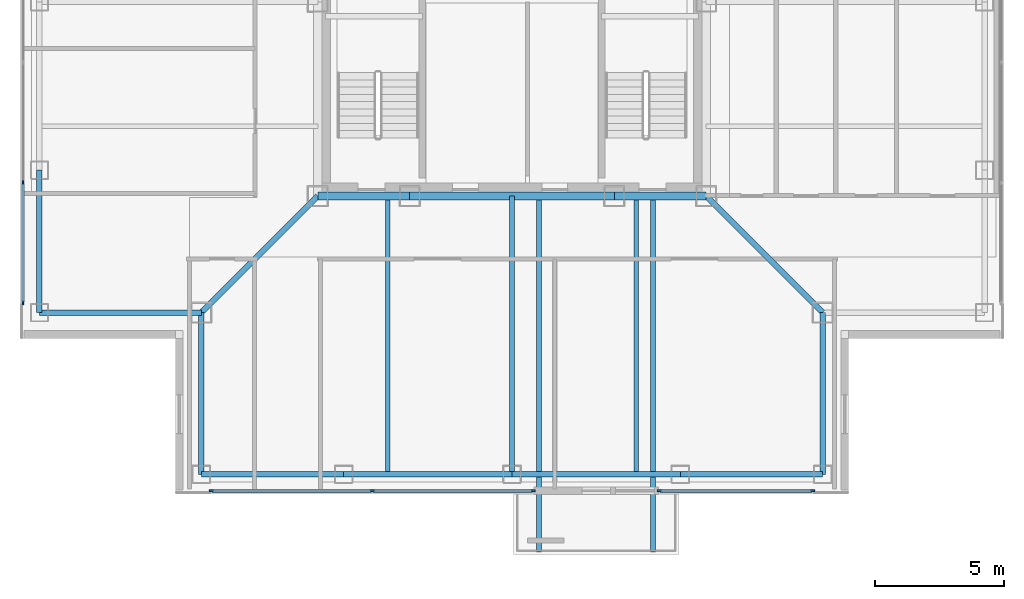
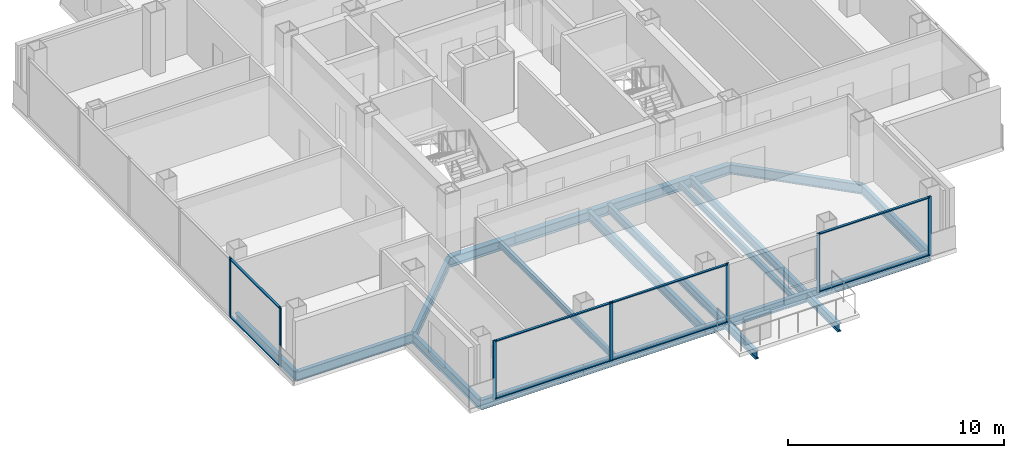
# One storey, part 2 of 15: 18 beams, 15 members, 3 elements without a shape of their own.
"""IFC4 building model written with IfcOpenShell, lengths in metres."""

from ifc_helpers import new_model, si_unit, direction, frame, origin, origin_2d, place, context, subcontext, project, spatial, rectangle, i_section, extrude, material, layer, layer_set, material_profile, profile_set, type_object, element, aggregate, save


model = new_model("IFC4")

# Units and contexts
model_context = context("Model", 3, precision=1e-05, world=origin(), true_north=direction((0.0, 1.0)))
body_context = subcontext(model_context, "Body", "Model", "MODEL_VIEW")
ifc_project = project(units=[si_unit("LENGTHUNIT", "METRE"), si_unit("AREAUNIT", "SQUARE_METRE"), si_unit("VOLUMEUNIT", "CUBIC_METRE"), si_unit("PLANEANGLEUNIT", "RADIAN"), si_unit("MASSUNIT", "GRAM", prefix="KILO")], contexts=[model_context])

# Site, building, storey
site_placement = place(None, origin())
site = spatial("IfcSite", under=ifc_project, at=site_placement, CompositionType="ELEMENT")
building_placement = place(site_placement, origin())
building = spatial("IfcBuilding", under=site, at=building_placement, Name="Trevonay Congress Spire", CompositionType="ELEMENT")
storey_placement = place(building_placement, frame((0.0, 0.0, 275.60009765625)))
storey = spatial("IfcBuildingStorey", under=building, at=storey_placement, Name="L72", CompositionType="ELEMENT", Elevation=275.60009765625)

# Beams
ifc_material_1 = material(Name="Steel ASTM A572 Grade 50", Category="steel")
ifc_material_profile_1 = material_profile(ifc_material_1, i_section(OverallWidth=0.194091796875, OverallDepth=0.468994140625, WebThickness=0.011474609375, FlangeThickness=0.01953125, FilletRadius=0.013916015625, at=origin_2d()), Name="W460x106")
ifc_profile_set_1 = profile_set([ifc_material_profile_1], Name="Steel ASTM A572 Grade 50")
beam_type_1 = type_object("IfcBeamType", Name="BM-BAL-LOOKOUT", PredefinedType="BEAM", material=ifc_profile_set_1)
for number, where, z_axis, x_axis, name in (
    (1, (1.050048828125, -7.5, -0.474609375), (0.0, -1.0, 0.0), (1.0, 0.0, 0.0), "L72 structural beam LKT-L72-S1"),
    (2, (5.449951171875, -7.5, -0.474609375), (0.0, -1.0, 0.0), (1.0, 0.0, 0.0), "L72 structural beam LKT-L72-S2"),
):
    element("IfcBeam", number, at=place(storey_placement, frame(where, z_axis=z_axis, x_axis=x_axis)), inside=storey, type_object=beam_type_1, Name=name, PredefinedType="BEAM", context=body_context, shape_type="SweptSolid", body=[
        extrude(i_section(OverallWidth=0.194091796875, OverallDepth=0.468994140625, WebThickness=0.011474609375, FlangeThickness=0.01953125, FilletRadius=0.013916015625, at=origin_2d()), origin(), (0.0, 0.0, 1.0), 13.75),
    ])
ifc_material_profile_2 = material_profile(ifc_material_1, i_section(OverallWidth=0.2119140625, OverallDepth=0.5439453125, WebThickness=0.01318359375, FlangeThickness=0.021240234375, FilletRadius=0.014892578125, at=origin_2d()), Name="W530x123")
ifc_profile_set_2 = profile_set([ifc_material_profile_2], Name="Steel ASTM A572 Grade 50")
beam_type_2 = type_object("IfcBeamType", Name="BM-GIRD-W530X123", PredefinedType="BEAM", material=ifc_profile_set_2)
for number, where, z_axis, x_axis, name in (
    (3, (-7.5, -7.5, -0.51220703125), (-0.707106781187, -0.707106781187, 0.0), (0.707106781187, -0.707106781187, 0.0), "L72 structural beam BM-L72-CDSW"),
    (4, (7.5, -7.5, -0.51220703125), (0.707106781187, -0.707106781187, 0.0), (0.707106781187, 0.707106781187, 0.0), "L72 structural beam BM-L72-CDSE"),
):
    element("IfcBeam", number, at=place(storey_placement, frame(where, z_axis=z_axis, x_axis=x_axis)), inside=storey, type_object=beam_type_2, Name=name, PredefinedType="BEAM", context=body_context, shape_type="SweptSolid", body=[
        extrude(i_section(OverallWidth=0.2119140625, OverallDepth=0.5439453125, WebThickness=0.01318359375, FlangeThickness=0.021240234375, FilletRadius=0.014892578125, at=origin_2d()), origin(), (0.0, 0.0, 1.0), 6.364013671875),
    ])
beam_1_placement = place(storey_placement, frame((0.0, -7.5, -0.51220703125), z_axis=(0.0, -1.0, 0.0), x_axis=(1.0, 0.0, 0.0)))
element("IfcBeam", 5, at=beam_1_placement, inside=storey, type_object=beam_type_2, Name="L72 structural beam BM-L72-GC-S", PredefinedType="BEAM", context=body_context, shape_type="SweptSolid", body=[
    extrude(i_section(OverallWidth=0.2119140625, OverallDepth=0.5439453125, WebThickness=0.01318359375, FlangeThickness=0.021240234375, FilletRadius=0.014892578125, at=origin_2d()), origin(), (0.0, 0.0, 1.0), 10.75),
])
ifc_material_profile_3 = material_profile(ifc_material_1, i_section(OverallWidth=0.31201171875, OverallDepth=0.54296875, WebThickness=0.0126953125, FlangeThickness=0.020263671875, FilletRadius=0.014892578125, at=origin_2d()), Name="W530x150")
ifc_profile_set_3 = profile_set([ifc_material_profile_3], Name="Steel ASTM A572 Grade 50")
beam_type_3 = type_object("IfcBeamType", Name="BM-GIRD-W530X150", PredefinedType="BEAM", material=ifc_profile_set_3)
beam_2_placement = place(storey_placement, frame((-7.5, -7.5, -0.51171875), z_axis=(1.0, 0.0, 0.0), x_axis=(0.0, 1.0, 0.0)))
element("IfcBeam", 6, at=beam_2_placement, inside=storey, type_object=beam_type_3, Name="L72 structural beam BM-L72-CR-S1", PredefinedType="BEAM", context=body_context, shape_type="SweptSolid", body=[
    extrude(i_section(OverallWidth=0.31201171875, OverallDepth=0.54296875, WebThickness=0.0126953125, FlangeThickness=0.020263671875, FilletRadius=0.014892578125, at=origin_2d()), origin(), (0.0, 0.0, 1.0), 3.550048828125),
])
beam_3_placement = place(storey_placement, frame((-3.949951171875, -7.5, -0.51171875), z_axis=(1.0, 0.0, 0.0), x_axis=(0.0, 1.0, 0.0)))
element("IfcBeam", 7, at=beam_3_placement, inside=storey, type_object=beam_type_3, Name="L72 structural beam BM-L72-CR-S2", PredefinedType="BEAM", context=body_context, shape_type="SweptSolid", body=[
    extrude(i_section(OverallWidth=0.31201171875, OverallDepth=0.54296875, WebThickness=0.0126953125, FlangeThickness=0.020263671875, FilletRadius=0.014892578125, at=origin_2d()), origin(), (0.0, 0.0, 1.0), 7.89990234375),
])
beam_4_placement = place(storey_placement, frame((3.949951171875, -7.5, -0.51171875), z_axis=(1.0, 0.0, 0.0), x_axis=(0.0, 1.0, 0.0)))
element("IfcBeam", 8, at=beam_4_placement, inside=storey, type_object=beam_type_3, Name="L72 structural beam BM-L72-CR-S3", PredefinedType="BEAM", context=body_context, shape_type="SweptSolid", body=[
    extrude(i_section(OverallWidth=0.31201171875, OverallDepth=0.54296875, WebThickness=0.0126953125, FlangeThickness=0.020263671875, FilletRadius=0.014892578125, at=origin_2d()), origin(), (0.0, 0.0, 1.0), 3.550048828125),
])
ifc_material_profile_4 = material_profile(ifc_material_1, i_section(OverallWidth=0.208984375, OverallDepth=0.532958984375, WebThickness=0.01025390625, FlangeThickness=0.015625, FilletRadius=0.014892578125, at=origin_2d()), Name="W530x92")
ifc_profile_set_4 = profile_set([ifc_material_profile_4], Name="Steel ASTM A572 Grade 50")
beam_type_4 = type_object("IfcBeamType", Name="BM-RING-W530X92", PredefinedType="BEAM", material=ifc_profile_set_4)
for number, where, z_axis, x_axis, name in (
    (9, (-12.0, -18.25, -0.506591796875), (1.0, 0.0, 0.0), (0.0, 1.0, 0.0), "L72 structural beam BM-L72-PS1"),
    (10, (-18.25, -12.0, -0.506591796875), (0.0, 1.0, 0.0), (-1.0, 0.0, 0.0), "L72 structural beam BM-L72-PW1"),
):
    element("IfcBeam", number, at=place(storey_placement, frame(where, z_axis=z_axis, x_axis=x_axis)), inside=storey, type_object=beam_type_4, Name=name, PredefinedType="BEAM", context=body_context, shape_type="SweptSolid", body=[
        extrude(i_section(OverallWidth=0.208984375, OverallDepth=0.532958984375, WebThickness=0.01025390625, FlangeThickness=0.015625, FilletRadius=0.014892578125, at=origin_2d()), origin(), (0.0, 0.0, 1.0), 5.5),
    ])
for number, where, z_axis, x_axis, name in (
    (11, (-6.5, -18.25, -0.506591796875), (1.0, 0.0, 0.0), (0.0, 1.0, 0.0), "L72 structural beam BM-L72-PS2"),
    (12, (0.0, -18.25, -0.506591796875), (1.0, 0.0, 0.0), (0.0, 1.0, 0.0), "L72 structural beam BM-L72-PS3"),
):
    element("IfcBeam", number, at=place(storey_placement, frame(where, z_axis=z_axis, x_axis=x_axis)), inside=storey, type_object=beam_type_4, Name=name, PredefinedType="BEAM", context=body_context, shape_type="SweptSolid", body=[
        extrude(i_section(OverallWidth=0.208984375, OverallDepth=0.532958984375, WebThickness=0.01025390625, FlangeThickness=0.015625, FilletRadius=0.014892578125, at=origin_2d()), origin(), (0.0, 0.0, 1.0), 6.5),
    ])
beam_5_placement = place(storey_placement, frame((6.5, -18.25, -0.506591796875), z_axis=(1.0, 0.0, 0.0), x_axis=(0.0, 1.0, 0.0)))
element("IfcBeam", 13, at=beam_5_placement, inside=storey, type_object=beam_type_4, Name="L72 structural beam BM-L72-PS4", PredefinedType="BEAM", context=body_context, shape_type="SweptSolid", body=[
    extrude(i_section(OverallWidth=0.208984375, OverallDepth=0.532958984375, WebThickness=0.01025390625, FlangeThickness=0.015625, FilletRadius=0.014892578125, at=origin_2d()), origin(), (0.0, 0.0, 1.0), 5.5),
])
for number, where, z_axis, x_axis, name in (
    (14, (-12.0, -18.25, -0.506591796875), (0.0, 1.0, 0.0), (-1.0, 0.0, 0.0), "L72 structural beam BM-L72-N1SW"),
    (15, (-18.25, -12.0, -0.506591796875), (1.0, 0.0, 0.0), (0.0, 1.0, 0.0), "L72 structural beam BM-L72-N2SW"),
    (16, (12.0, -18.25, -0.506591796875), (0.0, 1.0, 0.0), (-1.0, 0.0, 0.0), "L72 structural beam BM-L72-N1SE"),
):
    element("IfcBeam", number, at=place(storey_placement, frame(where, z_axis=z_axis, x_axis=x_axis)), inside=storey, type_object=beam_type_4, Name=name, PredefinedType="BEAM", context=body_context, shape_type="SweptSolid", body=[
        extrude(i_section(OverallWidth=0.208984375, OverallDepth=0.532958984375, WebThickness=0.01025390625, FlangeThickness=0.015625, FilletRadius=0.014892578125, at=origin_2d()), origin(), (0.0, 0.0, 1.0), 6.25),
    ])

# Curtain wall, members
ifc_material_2 = material(Name="Pale Anodised Aluminium EN AW-6063-T6", Category="aluminium")
ifc_layer = layer(ifc_material_2, 0.1650390625, Name="Pale Anodised Aluminium EN AW-6063-T6")
ifc_layer_set = layer_set([ifc_layer], Name="Pale Anodised Aluminium EN AW-6063-T6")
curtain_wall_type = type_object("IfcCurtainWallType", Name="CW-SYS05-DIPLOM-PALE-METAL", PredefinedType="NOTDEFINED", material=ifc_layer_set)
curtain_wall_1_placement = place(storey_placement, origin())
curtain_wall_1 = element("IfcCurtainWall", 17, at=curtain_wall_1_placement, inside=storey, type_object=curtain_wall_type, Name="L72 SA unitised curtain wall", PredefinedType="NOTDEFINED")
ifc_material_profile_5 = material_profile(ifc_material_2, rectangle(XDim=0.06005859375, YDim=0.159912109375, at=origin_2d()), Name="CW-MULLION-160-ALUMINIUM")
ifc_profile_set_5 = profile_set([ifc_material_profile_5], Name="Pale Anodised Aluminium EN AW-6063-T6")
member_type_1 = type_object("IfcMemberType", Name="CW-MULLION-160-ALUMINIUM", PredefinedType="MULLION", material=ifc_profile_set_5)
member_1_placement = place(storey_placement, frame((-11.6201171875, -18.8798828125, 0.0), z_axis=(0.0, 0.0, 1.0), x_axis=(0.0, 1.0, 0.0)))
member_1 = element("IfcMember", 18, at=member_1_placement, type_object=member_type_1, Name="CW05 mullion 1", PredefinedType="MULLION", context=body_context, shape_type="SweptSolid", body=[
    extrude(rectangle(XDim=0.06005859375, YDim=0.159912109375, at=origin_2d()), origin(), (0.0, 0.0, 1.0), 3.35986328125),
])
member_2_placement = place(storey_placement, frame((-5.39990234375, -18.8798828125, 0.0), z_axis=(0.0, 0.0, 1.0), x_axis=(0.0, 1.0, 0.0)))
member_2 = element("IfcMember", 19, at=member_2_placement, type_object=member_type_1, Name="CW05 mullion 2", PredefinedType="MULLION", context=body_context, shape_type="SweptSolid", body=[
    extrude(rectangle(XDim=0.06005859375, YDim=0.159912109375, at=origin_2d()), origin(), (0.0, 0.0, 1.0), 3.35986328125),
])
member_3_placement = place(storey_placement, frame((0.820068359375, -18.8798828125, 0.0), z_axis=(0.0, 0.0, 1.0), x_axis=(0.0, 1.0, 0.0)))
member_3 = element("IfcMember", 20, at=member_3_placement, type_object=member_type_1, Name="CW05 mullion 3", PredefinedType="MULLION", context=body_context, shape_type="SweptSolid", body=[
    extrude(rectangle(XDim=0.06005859375, YDim=0.159912109375, at=origin_2d()), origin(), (0.0, 0.0, 1.0), 3.35986328125),
])

curtain_wall_2_placement = place(storey_placement, origin())
curtain_wall_2 = element("IfcCurtainWall", 21, at=curtain_wall_2_placement, inside=storey, type_object=curtain_wall_type, Name="L72 SB unitised curtain wall", PredefinedType="NOTDEFINED")
member_4_placement = place(storey_placement, frame((5.679931640625, -18.8798828125, 0.0), z_axis=(0.0, 0.0, 1.0), x_axis=(0.0, 1.0, 0.0)))
member_4 = element("IfcMember", 22, at=member_4_placement, type_object=member_type_1, Name="CW05 mullion 1", PredefinedType="MULLION", context=body_context, shape_type="SweptSolid", body=[
    extrude(rectangle(XDim=0.06005859375, YDim=0.159912109375, at=origin_2d()), origin(), (0.0, 0.0, 1.0), 3.35986328125),
])
member_5_placement = place(storey_placement, frame((11.6201171875, -18.8798828125, 0.0), z_axis=(0.0, 0.0, 1.0), x_axis=(0.0, 1.0, 0.0)))
member_5 = element("IfcMember", 23, at=member_5_placement, type_object=member_type_1, Name="CW05 mullion 2", PredefinedType="MULLION", context=body_context, shape_type="SweptSolid", body=[
    extrude(rectangle(XDim=0.06005859375, YDim=0.159912109375, at=origin_2d()), origin(), (0.0, 0.0, 1.0), 3.35986328125),
])

curtain_wall_3_placement = place(storey_placement, origin())
curtain_wall_3 = element("IfcCurtainWall", 24, at=curtain_wall_3_placement, inside=storey, type_object=curtain_wall_type, Name="L72 W unitised curtain wall", PredefinedType="NOTDEFINED")
member_6_placement = place(storey_placement, frame((-18.8798828125, -11.6201171875, 0.0), z_axis=(0.0, 0.0, 1.0), x_axis=(-1.0, 0.0, 0.0)))
member_6 = element("IfcMember", 25, at=member_6_placement, type_object=member_type_1, Name="CW05 mullion 1", PredefinedType="MULLION", context=body_context, shape_type="SweptSolid", body=[
    extrude(rectangle(XDim=0.06005859375, YDim=0.159912109375, at=origin_2d()), origin(), (0.0, 0.0, 1.0), 3.35986328125),
])
member_7_placement = place(storey_placement, frame((-18.8798828125, -6.989990234375, 0.0), z_axis=(0.0, 0.0, 1.0), x_axis=(-1.0, 0.0, 0.0)))
member_7 = element("IfcMember", 26, at=member_7_placement, type_object=member_type_1, Name="CW05 mullion 2", PredefinedType="MULLION", context=body_context, shape_type="SweptSolid", body=[
    extrude(rectangle(XDim=0.06005859375, YDim=0.159912109375, at=origin_2d()), origin(), (0.0, 0.0, 1.0), 3.35986328125),
])

# Member
ifc_material_profile_6 = material_profile(ifc_material_2, rectangle(XDim=0.1201171875, YDim=0.06005859375, at=origin_2d()), Name="CW-TRANSOM-120-ALUMINIUM")
ifc_profile_set_6 = profile_set([ifc_material_profile_6], Name="Pale Anodised Aluminium EN AW-6063-T6")
member_type_2 = type_object("IfcMemberType", Name="CW-TRANSOM-120-ALUMINIUM", PredefinedType="USERDEFINED", material=ifc_profile_set_6)
member_8_placement = place(storey_placement, frame((-11.590087890625, -18.8798828125, 0.059814453125), z_axis=(1.0, 0.0, 0.0), x_axis=(0.0, 1.0, 0.0)))
member_8 = element("IfcMember", 27, at=member_8_placement, type_object=member_type_2, Name="CW05 transom 1.1", ObjectType="TRANSOM", PredefinedType="USERDEFINED", context=body_context, shape_type="SweptSolid", body=[
    extrude(rectangle(XDim=0.1201171875, YDim=0.06005859375, at=origin_2d()), origin(), (0.0, 0.0, 1.0), 6.16015625),
])

member_9_placement = place(storey_placement, frame((-11.590087890625, -18.8798828125, 3.2998046875), z_axis=(1.0, 0.0, 0.0), x_axis=(0.0, 1.0, 0.0)))
member_9 = element("IfcMember", 28, at=member_9_placement, type_object=member_type_2, Name="CW05 transom 1.2", ObjectType="TRANSOM", PredefinedType="USERDEFINED", context=body_context, shape_type="SweptSolid", body=[
    extrude(rectangle(XDim=0.1201171875, YDim=0.06005859375, at=origin_2d()), origin(), (0.0, 0.0, 1.0), 6.16015625),
])

member_10_placement = place(storey_placement, frame((-5.3701171875, -18.8798828125, 0.059814453125), z_axis=(1.0, 0.0, 0.0), x_axis=(0.0, 1.0, 0.0)))
member_10 = element("IfcMember", 29, at=member_10_placement, type_object=member_type_2, Name="CW05 transom 2.1", ObjectType="TRANSOM", PredefinedType="USERDEFINED", context=body_context, shape_type="SweptSolid", body=[
    extrude(rectangle(XDim=0.1201171875, YDim=0.06005859375, at=origin_2d()), origin(), (0.0, 0.0, 1.0), 6.16015625),
])

member_11_placement = place(storey_placement, frame((-5.3701171875, -18.8798828125, 3.2998046875), z_axis=(1.0, 0.0, 0.0), x_axis=(0.0, 1.0, 0.0)))
member_11 = element("IfcMember", 30, at=member_11_placement, type_object=member_type_2, Name="CW05 transom 2.2", ObjectType="TRANSOM", PredefinedType="USERDEFINED", context=body_context, shape_type="SweptSolid", body=[
    extrude(rectangle(XDim=0.1201171875, YDim=0.06005859375, at=origin_2d()), origin(), (0.0, 0.0, 1.0), 6.16015625),
])

aggregate(curtain_wall_1, [member_1, member_2, member_3, member_8, member_9, member_10, member_11])

member_12_placement = place(storey_placement, frame((5.7099609375, -18.8798828125, 0.059814453125), z_axis=(1.0, 0.0, 0.0), x_axis=(0.0, 1.0, 0.0)))
member_12 = element("IfcMember", 31, at=member_12_placement, type_object=member_type_2, Name="CW05 transom 1.1", ObjectType="TRANSOM", PredefinedType="USERDEFINED", context=body_context, shape_type="SweptSolid", body=[
    extrude(rectangle(XDim=0.1201171875, YDim=0.06005859375, at=origin_2d()), origin(), (0.0, 0.0, 1.0), 5.880126953125),
])

member_13_placement = place(storey_placement, frame((5.7099609375, -18.8798828125, 3.2998046875), z_axis=(1.0, 0.0, 0.0), x_axis=(0.0, 1.0, 0.0)))
member_13 = element("IfcMember", 32, at=member_13_placement, type_object=member_type_2, Name="CW05 transom 1.2", ObjectType="TRANSOM", PredefinedType="USERDEFINED", context=body_context, shape_type="SweptSolid", body=[
    extrude(rectangle(XDim=0.1201171875, YDim=0.06005859375, at=origin_2d()), origin(), (0.0, 0.0, 1.0), 5.880126953125),
])

aggregate(curtain_wall_2, [member_4, member_5, member_12, member_13])

member_14_placement = place(storey_placement, frame((-18.8798828125, -11.590087890625, 0.059814453125), z_axis=(0.0, 1.0, 0.0), x_axis=(-1.0, 0.0, 0.0)))
member_14 = element("IfcMember", 33, at=member_14_placement, type_object=member_type_2, Name="CW05 transom 1.1", ObjectType="TRANSOM", PredefinedType="USERDEFINED", context=body_context, shape_type="SweptSolid", body=[
    extrude(rectangle(XDim=0.1201171875, YDim=0.06005859375, at=origin_2d()), origin(), (0.0, 0.0, 1.0), 4.570068359375),
])

member_15_placement = place(storey_placement, frame((-18.8798828125, -11.590087890625, 3.2998046875), z_axis=(0.0, 1.0, 0.0), x_axis=(-1.0, 0.0, 0.0)))
member_15 = element("IfcMember", 34, at=member_15_placement, type_object=member_type_2, Name="CW05 transom 1.2", ObjectType="TRANSOM", PredefinedType="USERDEFINED", context=body_context, shape_type="SweptSolid", body=[
    extrude(rectangle(XDim=0.1201171875, YDim=0.06005859375, at=origin_2d()), origin(), (0.0, 0.0, 1.0), 4.570068359375),
])

aggregate(curtain_wall_3, [member_6, member_7, member_14, member_15])

# Beams
ifc_material_profile_7 = material_profile(ifc_material_1, i_section(OverallWidth=0.172119140625, OverallDepth=0.35791015625, WebThickness=0.0078125, FlangeThickness=0.01318359375, FilletRadius=0.011962890625, at=origin_2d()), Name="W360x57.8")
ifc_profile_set_7 = profile_set([ifc_material_profile_7], Name="Steel ASTM A572 Grade 50")
beam_type_5 = type_object("IfcBeamType", Name="JS-COMP-W360X57", PredefinedType="JOIST", material=ifc_profile_set_7)
for number, where, z_axis, x_axis, name in (
    (35, (-4.800048828125, -18.25, -0.419189453125), (0.0, 1.0, 0.0), (-1.0, 0.0, 0.0), "L72 structural beam JS-L72-NS-S1"),
    (36, (4.800048828125, -18.25, -0.419189453125), (0.0, 1.0, 0.0), (-1.0, 0.0, 0.0), "L72 structural beam JS-L72-NS-S3"),
):
    element("IfcBeam", number, at=place(storey_placement, frame(where, z_axis=z_axis, x_axis=x_axis)), inside=storey, type_object=beam_type_5, Name=name, PredefinedType="JOIST", context=body_context, shape_type="SweptSolid", body=[
        extrude(i_section(OverallWidth=0.172119140625, OverallDepth=0.35791015625, WebThickness=0.0078125, FlangeThickness=0.01318359375, FilletRadius=0.011962890625, at=origin_2d()), origin(), (0.0, 0.0, 1.0), 10.75),
    ])

save(model, "model.ifc")
